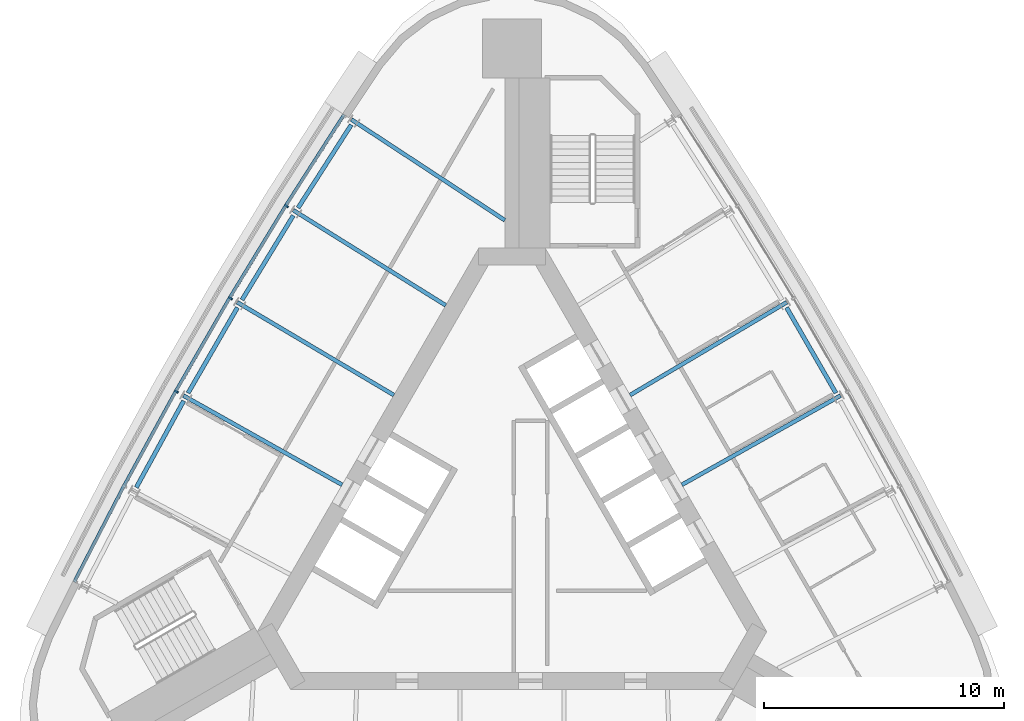
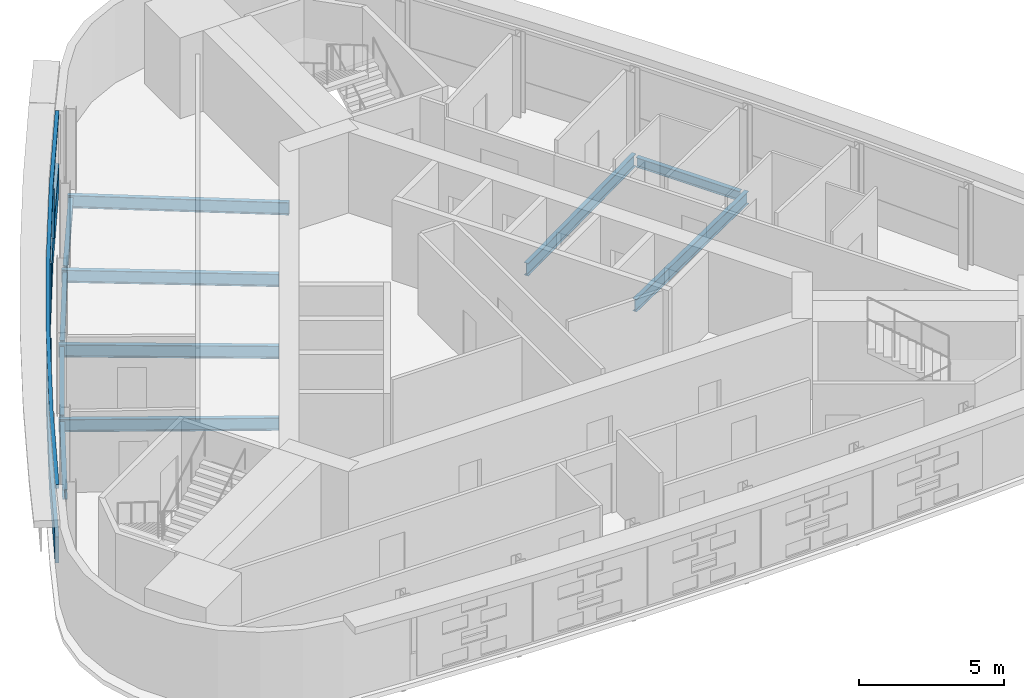
# One storey, part 3 of 10: 11 beams, 5 members, 1 element without a shape of its own.
"""IFC4 building model written with IfcOpenShell, lengths in metres."""

from ifc_helpers import new_model, si_unit, direction, frame, origin, origin_2d, place, context, subcontext, project, spatial, polyline, rectangle, i_section, outline, extrude, material, material_profile, profile_set, type_object, element, aggregate, save


model = new_model("IFC4")

# Units and contexts
model_context = context("Model", 3, precision=1e-05, world=origin(), true_north=direction((0.0, 1.0)))
body_context = subcontext(model_context, "Body", "Model", "MODEL_VIEW")
ifc_project = project(units=[si_unit("LENGTHUNIT", "METRE"), si_unit("AREAUNIT", "SQUARE_METRE"), si_unit("VOLUMEUNIT", "CUBIC_METRE"), si_unit("PLANEANGLEUNIT", "RADIAN"), si_unit("MASSUNIT", "GRAM", prefix="KILO")], contexts=[model_context])

# Site, building, storey
site_placement = place(None, origin())
site = spatial("IfcSite", under=ifc_project, at=site_placement, CompositionType="ELEMENT")
building_placement = place(site_placement, origin())
building = spatial("IfcBuilding", under=site, at=building_placement, Name="Noor Cloister Tower", CompositionType="ELEMENT")
storey_placement = place(building_placement, frame((0.0, 0.0, 240.0)))
storey = spatial("IfcBuildingStorey", under=building, at=storey_placement, Name="L62", CompositionType="ELEMENT", Elevation=240.0)

# Curtain wall, members
ifc_material_1 = material(Name="Aluminium 6063-T6 anodised", Category="aluminium")
curtain_wall_type = type_object("IfcCurtainWallType", Name="Ribbon curtain wall, upper tower CW5", PredefinedType="NOTDEFINED", material=ifc_material_1)
curtain_wall_placement = place(storey_placement, origin())
curtain_wall = element("IfcCurtainWall", 1, at=curtain_wall_placement, inside=storey, type_object=curtain_wall_type, Name="CW5 L62 NW run 1", PredefinedType="NOTDEFINED")
ifc_material_2 = material(Name="Aluminium 6063-T6 anodised", Category="aluminium")
member_type_1 = type_object("IfcMemberType", Name="Head transom CW5 150", PredefinedType="USERDEFINED", material=ifc_material_2)
member_1_placement = place(storey_placement, frame((0.0, 0.0, 3.14990234375)))
member_1 = element("IfcMember", 2, at=member_1_placement, type_object=member_type_1, Name="CW5 head transom", ObjectType="TRANSOM", PredefinedType="USERDEFINED", context=body_context, shape_type="SweptSolid", body=[
    extrude(outline(polyline([(-7.05712890625, 17.0576171875), (-9.4833984375, 13.267822265625), (-11.822021484375, 9.423583984375), (-14.072021484375, 5.5263671875), (-16.232177734375, 1.578857421875), (-18.301025390625, -2.417236328125), (-18.1767578125, -2.4814453125), (-16.1083984375, 1.51318359375), (-13.949951171875, 5.457763671875), (-11.70166015625, 9.35205078125), (-9.364501953125, 13.19384765625), (-6.939208984375, 16.982177734375), (-7.05712890625, 17.0576171875)])), origin(), (0.0, 0.0, 1.0), 0.150146484375),
])
ifc_material_3 = material(Name="Aluminium 6063-T6 anodised", Category="aluminium")
ifc_material_profile_1 = material_profile(ifc_material_3, rectangle(XDim=0.179931640625, YDim=0.070068359375, at=origin_2d()), Name="180 x 70 mullion")
ifc_profile_set_1 = profile_set([ifc_material_profile_1], Name="Aluminium 6063-T6 anodised")
member_type_2 = type_object("IfcMemberType", Name="Mullion CW5 70 x 180", PredefinedType="MULLION", material=ifc_profile_set_1)
member_2_placement = place(storey_placement, frame((-9.3984375, 13.215087890625, 1.10009765625), z_axis=(0.0, 0.0, 1.0), x_axis=(0.848321619142, -0.529481284369, 0.0)))
member_2 = element("IfcMember", 3, at=member_2_placement, type_object=member_type_2, Name="CW5 mullion 2", PredefinedType="MULLION", context=body_context, shape_type="SweptSolid", body=[
    extrude(rectangle(XDim=0.179931640625, YDim=0.070068359375, at=origin_2d()), origin(), (0.0, 0.0, 1.0), 2.0498046875),
])
member_3_placement = place(storey_placement, frame((-11.736083984375, 9.37255859375, 1.10009765625), z_axis=(0.0, 0.0, 1.0), x_axis=(0.860236922947, -0.509894534585, 0.0)))
member_3 = element("IfcMember", 4, at=member_3_placement, type_object=member_type_2, Name="CW5 mullion 3", PredefinedType="MULLION", context=body_context, shape_type="SweptSolid", body=[
    extrude(rectangle(XDim=0.179931640625, YDim=0.070068359375, at=origin_2d()), origin(), (0.0, 0.0, 1.0), 2.0498046875),
])
member_4_placement = place(storey_placement, frame((-13.98486328125, 5.4775390625, 1.10009765625), z_axis=(0.0, 0.0, 1.0), x_axis=(0.871700081674, -0.490039761253, 0.0)))
member_4 = element("IfcMember", 5, at=member_4_placement, type_object=member_type_2, Name="CW5 mullion 4", PredefinedType="MULLION", context=body_context, shape_type="SweptSolid", body=[
    extrude(rectangle(XDim=0.179931640625, YDim=0.070068359375, at=origin_2d()), origin(), (0.0, 0.0, 1.0), 2.0498046875),
])

# Beams
ifc_material_4 = material(Name="Steel ASTM A992 Gr 50", Category="steel")
ifc_material_profile_2 = material_profile(ifc_material_4, i_section(OverallWidth=0.166015625, OverallDepth=0.528076171875, WebThickness=0.009765625, FlangeThickness=0.013671875, FilletRadius=0.0126953125, at=origin_2d()), Name="W530x74")
ifc_profile_set_2 = profile_set([ifc_material_profile_2], Name="Steel ASTM A992 Gr 50")
beam_type_1 = type_object("IfcBeamType", Name="Radial beam W530x74", PredefinedType="BEAM", material=ifc_profile_set_2)
beam_1_placement = place(storey_placement, frame((-6.6943359375, 16.819580078125, -0.464111328125), z_axis=(0.835957767318, -0.548793778446, 0.0), x_axis=(0.548793778446, 0.835957767318, 0.0)))
element("IfcBeam", 6, at=beam_1_placement, inside=storey, type_object=beam_type_1, Name="Radial beam NW 01 L62", PredefinedType="BEAM", context=body_context, shape_type="SweptSolid", body=[
    extrude(i_section(OverallWidth=0.166015625, OverallDepth=0.528076171875, WebThickness=0.009765625, FlangeThickness=0.013671875, FilletRadius=0.0126953125, at=origin_2d()), origin(), (0.0, 0.0, 1.0), 7.649169921875),
])
beam_2_placement = place(storey_placement, frame((-9.115234375, 13.0380859375, -0.464111328125), z_axis=(0.848325964039, -0.529474323019, 0.0), x_axis=(0.529474323019, 0.848325964039, 0.0)))
element("IfcBeam", 7, at=beam_2_placement, inside=storey, type_object=beam_type_1, Name="Radial beam NW 02 L62", PredefinedType="BEAM", context=body_context, shape_type="SweptSolid", body=[
    extrude(i_section(OverallWidth=0.166015625, OverallDepth=0.528076171875, WebThickness=0.009765625, FlangeThickness=0.013671875, FilletRadius=0.0126953125, at=origin_2d()), origin(), (0.0, 0.0, 1.0), 7.4892578125),
])
beam_3_placement = place(storey_placement, frame((-11.44873046875, 9.2021484375, -0.464111328125), z_axis=(0.860245540502, -0.509879995732, 0.0), x_axis=(0.509879995732, 0.860245540502, 0.0)))
element("IfcBeam", 8, at=beam_3_placement, inside=storey, type_object=beam_type_1, Name="Radial beam NW 03 L62", PredefinedType="BEAM", context=body_context, shape_type="SweptSolid", body=[
    extrude(i_section(OverallWidth=0.166015625, OverallDepth=0.528076171875, WebThickness=0.009765625, FlangeThickness=0.013671875, FilletRadius=0.0126953125, at=origin_2d()), origin(), (0.0, 0.0, 1.0), 7.58837890625),
])
for number, where, z_axis, x_axis, name in (
    (9, (-13.693603515625, 5.313720703125, -0.464111328125), (0.871696665139, -0.490045838657, 0.0), (0.490045838657, 0.871696665139, 0.0), "Radial beam NW 04 L62"),
    (10, (13.693603515625, 5.313720703125, -0.464111328125), (-0.871696665139, -0.490045838657, 0.0), (0.490045838657, -0.871696665139, 0.0), "Radial beam NE 03 L62"),
):
    element("IfcBeam", number, at=place(storey_placement, frame(where, z_axis=z_axis, x_axis=x_axis)), inside=storey, type_object=beam_type_1, Name=name, PredefinedType="BEAM", context=body_context, shape_type="SweptSolid", body=[
        extrude(i_section(OverallWidth=0.166015625, OverallDepth=0.528076171875, WebThickness=0.009765625, FlangeThickness=0.013671875, FilletRadius=0.0126953125, at=origin_2d()), origin(), (0.0, 0.0, 1.0), 7.588134765625),
    ])
beam_4_placement = place(storey_placement, frame((11.44873046875, 9.2021484375, -0.464111328125), z_axis=(-0.860245540502, -0.509879995732, 0.0), x_axis=(0.509879995732, -0.860245540502, 0.0)))
element("IfcBeam", 11, at=beam_4_placement, inside=storey, type_object=beam_type_1, Name="Radial beam NE 04 L62", PredefinedType="BEAM", context=body_context, shape_type="SweptSolid", body=[
    extrude(i_section(OverallWidth=0.166015625, OverallDepth=0.528076171875, WebThickness=0.009765625, FlangeThickness=0.013671875, FilletRadius=0.0126953125, at=origin_2d()), origin(), (0.0, 0.0, 1.0), 7.58837890625),
])

# Member
ifc_material_5 = material(Name="Aluminium 6063-T6 anodised", Category="aluminium")
member_type_3 = type_object("IfcMemberType", Name="Sill transom CW5 1100", PredefinedType="USERDEFINED", material=ifc_material_5)
member_5_placement = place(storey_placement, origin())
member_5 = element("IfcMember", 12, at=member_5_placement, type_object=member_type_3, Name="CW5 sill transom", ObjectType="TRANSOM", PredefinedType="USERDEFINED", context=body_context, shape_type="SweptSolid", body=[
    extrude(outline(polyline([(-7.05712890625, 17.0576171875), (-9.4833984375, 13.267822265625), (-11.822021484375, 9.423583984375), (-14.072021484375, 5.5263671875), (-16.232177734375, 1.578857421875), (-18.301025390625, -2.417236328125), (-18.1767578125, -2.4814453125), (-16.1083984375, 1.51318359375), (-13.949951171875, 5.457763671875), (-11.70166015625, 9.35205078125), (-9.364501953125, 13.19384765625), (-6.939208984375, 16.982177734375), (-7.05712890625, 17.0576171875)])), origin(), (0.0, 0.0, 1.0), 1.10009765625),
])

aggregate(curtain_wall, [member_2, member_3, member_4, member_5, member_1])

# Beams
ifc_material_6 = material(Name="Steel ASTM A992 Gr 50", Category="steel")
ifc_material_profile_3 = material_profile(ifc_material_6, i_section(OverallWidth=0.177978515625, OverallDepth=0.406005859375, WebThickness=0.0078125, FlangeThickness=0.0126953125, FilletRadius=0.01025390625, at=origin_2d()), Name="W410x60")
ifc_profile_set_3 = profile_set([ifc_material_profile_3], Name="Steel ASTM A992 Gr 50")
beam_type_2 = type_object("IfcBeamType", Name="Spandrel beam W410x60", PredefinedType="SPANDREL", material=ifc_profile_set_3)
for number, where, z_axis, x_axis, name in (
    (13, (-6.697998046875, 16.598876953125, -0.403076171875), (-0.539158091967, -0.842204578393, 0.0), (0.842204578393, -0.539158091967, 0.0), "Spandrel beam NW 01 L62"),
    (14, (-9.11376953125, 12.8173828125, -0.403076171875), (-0.519713490012, -0.854340616089, 0.0), (0.854340616089, -0.519713490012, 0.0), "Spandrel beam NW 02 L62"),
    (15, (-11.442138671875, 8.9814453125, -0.403076171875), (-0.50000668347, -0.866021545047, 0.0), (0.866021545047, -0.50000668347, 0.0), "Spandrel beam NW 03 L62"),
):
    element("IfcBeam", number, at=place(storey_placement, frame(where, z_axis=z_axis, x_axis=x_axis)), inside=storey, type_object=beam_type_2, Name=name, PredefinedType="SPANDREL", context=body_context, shape_type="SweptSolid", body=[
        extrude(i_section(OverallWidth=0.177978515625, OverallDepth=0.406005859375, WebThickness=0.0078125, FlangeThickness=0.0126953125, FilletRadius=0.01025390625, at=origin_2d()), origin(), (0.0, 0.0, 1.0), 4.1142578125),
    ])
beam_5_placement = place(storey_placement, frame((-13.68212890625, 5.09326171875, -0.403076171875), z_axis=(-0.480020032196, -0.877257527007, 0.0), x_axis=(0.877257527007, -0.480020032196, 0.0)))
element("IfcBeam", 16, at=beam_5_placement, inside=storey, type_object=beam_type_2, Name="Spandrel beam NW 04 L62", PredefinedType="SPANDREL", context=body_context, shape_type="SweptSolid", body=[
    extrude(i_section(OverallWidth=0.177978515625, OverallDepth=0.406005859375, WebThickness=0.0078125, FlangeThickness=0.0126953125, FilletRadius=0.01025390625, at=origin_2d()), origin(), (0.0, 0.0, 1.0), 4.114013671875),
])
beam_6_placement = place(storey_placement, frame((13.499267578125, 5.41845703125, -0.403076171875), z_axis=(-0.50000668347, 0.866021545047, 0.0), x_axis=(-0.866021545047, -0.50000668347, 0.0)))
element("IfcBeam", 17, at=beam_6_placement, inside=storey, type_object=beam_type_2, Name="Spandrel beam NE 03 L62", PredefinedType="SPANDREL", context=body_context, shape_type="SweptSolid", body=[
    extrude(i_section(OverallWidth=0.177978515625, OverallDepth=0.406005859375, WebThickness=0.0078125, FlangeThickness=0.0126953125, FilletRadius=0.01025390625, at=origin_2d()), origin(), (0.0, 0.0, 1.0), 4.1142578125),
])

save(model, "model.ifc")
